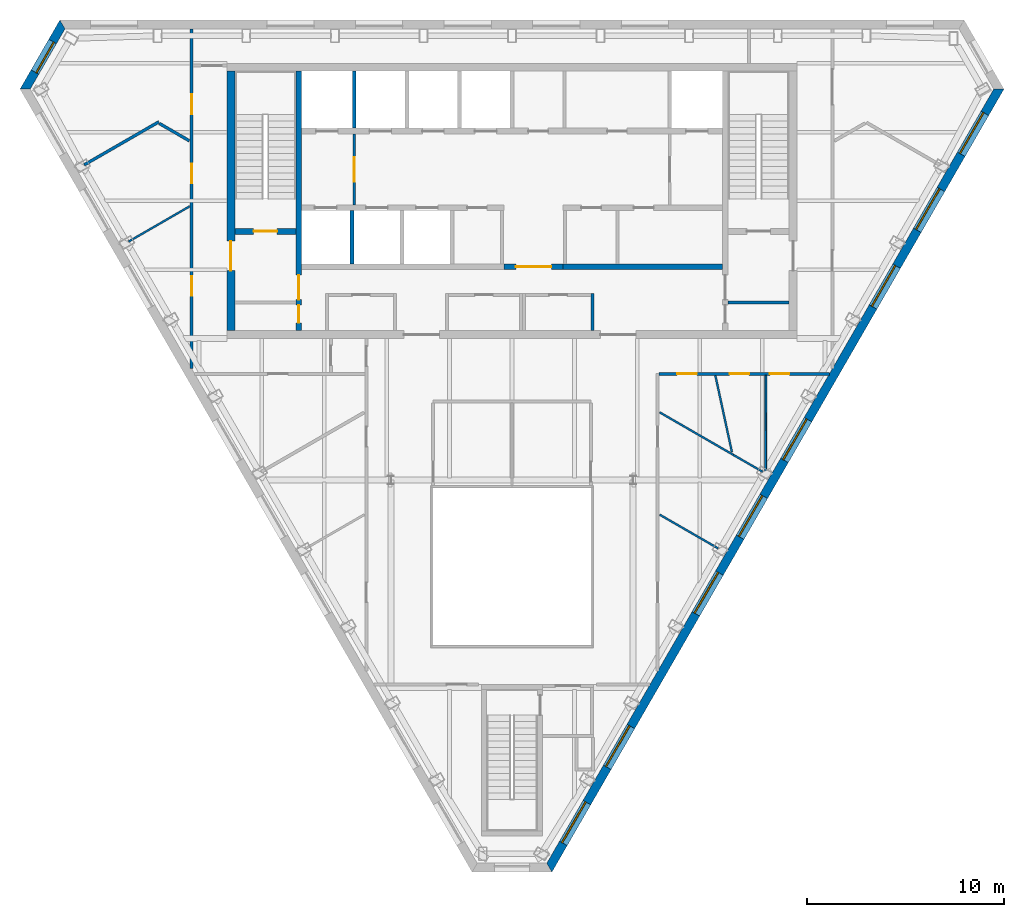
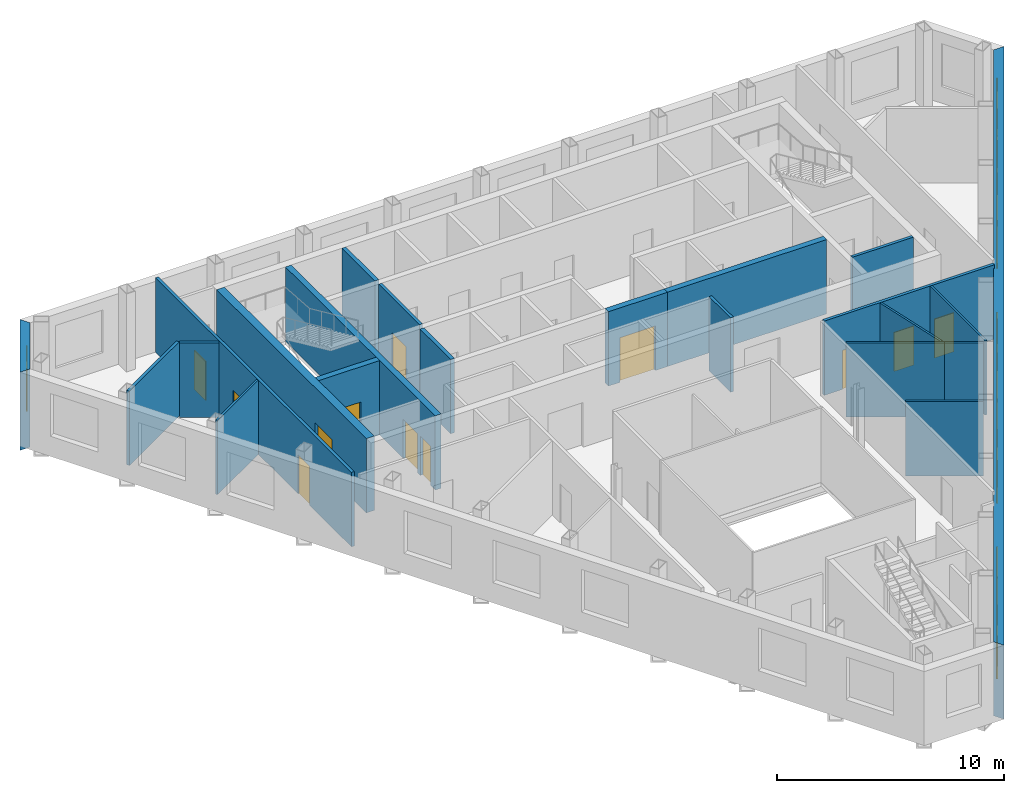
# One storey, part 5 of 10: 22 walls, 12 doors, 9 windows, 21 openings.
"""IFC4 building model written with IfcOpenShell, lengths in metres."""

from ifc_helpers import new_model, si_unit, direction, frame, frame_2d, origin, place, context, subcontext, project, spatial, polyline, rectangle, outline, extrude, material, layer, layer_set, type_object, element, fill, save


model = new_model("IFC4")

# Units and contexts
model_context = context("Model", 3, precision=1e-05, world=origin(), true_north=direction((0.0, 1.0)))
body_context = subcontext(model_context, "Body", "Model", "MODEL_VIEW")
ifc_project = project(units=[si_unit("LENGTHUNIT", "METRE"), si_unit("AREAUNIT", "SQUARE_METRE"), si_unit("VOLUMEUNIT", "CUBIC_METRE"), si_unit("PLANEANGLEUNIT", "RADIAN"), si_unit("MASSUNIT", "GRAM", prefix="KILO")], contexts=[model_context])

# Site, building, storey
site_placement = place(None, origin())
site = spatial("IfcSite", under=ifc_project, at=site_placement, CompositionType="ELEMENT")
building_placement = place(site_placement, origin())
building = spatial("IfcBuilding", under=site, at=building_placement, Name="Njiva Tower", CompositionType="ELEMENT")
storey_placement = place(building_placement, frame((0.0, 0.0, 329.4)))
storey = spatial("IfcBuildingStorey", under=building, at=storey_placement, Name="L75", CompositionType="ELEMENT", Elevation=329.4)

# Walls
ifc_material_1 = material(Name="Blockwork", Category="masonry")
ifc_layer_1 = layer(ifc_material_1, 0.15)
ifc_layer_set_1 = layer_set([ifc_layer_1], Name="Blockwork")
wall_type_1 = type_object("IfcWallType", Name="WT1 Compartment partition 150", PredefinedType="PARTITIONING", material=ifc_layer_set_1)
wall_1_placement = place(storey_placement, frame((11.0, 5.825, 0.0), z_axis=(0.0, 0.0, 1.0), x_axis=(1.0, 0.0, 0.0)))
element("IfcWall", 1, at=wall_1_placement, inside=storey, type_object=wall_type_1, Name="Room wall B", PredefinedType="PARTITIONING", context=body_context, shape_type="SweptSolid", body=[
    extrude(rectangle(XDim=3.1, YDim=0.15, at=frame_2d((1.55, 0.0))), origin(), (0.0, 0.0, 1.0), 4.0),
])
wall_2_placement = place(storey_placement, frame((4.1, 4.4, 0.0), z_axis=(0.0, 0.0, 1.0), x_axis=(0.0, 1.0, 0.0)))
element("IfcWall", 2, at=wall_2_placement, inside=storey, type_object=wall_type_1, Name="Information office wall east", PredefinedType="PARTITIONING", context=body_context, shape_type="SweptSolid", body=[
    extrude(rectangle(XDim=1.895, YDim=0.15, at=frame_2d((0.9475, 0.0))), origin(), (0.0, 0.0, 1.0), 4.0),
])

# Wall, openings, doors
ifc_material_2 = material(Name="Concrete C40/50", Category="concrete")
ifc_layer_2 = layer(ifc_material_2, 0.3)
ifc_layer_set_2 = layer_set([ifc_layer_2], Name="Concrete C40/50")
wall_type_2 = type_object("IfcWallType", Name="WT10 Stair enclosure wall 300", PredefinedType="SHEAR", material=ifc_layer_set_2)
wall_3_placement = place(storey_placement, frame((-10.85, 4.4, 0.0), z_axis=(0.0, 0.0, 1.0), x_axis=(0.0, 1.0, 0.0)))
wall_3 = element("IfcWall", 3, at=wall_3_placement, inside=storey, type_object=wall_type_2, Name="Stair wall west inner", PredefinedType="SHEAR", context=body_context, shape_type="SweptSolid", body=[
    extrude(rectangle(XDim=13.2, YDim=0.3, at=frame_2d((6.6, 0.0))), origin(), (0.0, 0.0, 1.0), 4.0),
])
opening_1_placement = place(wall_3_placement, frame((1.575, 0.0, 0.0)))
opening_1 = element("IfcOpeningElement", 4, at=opening_1_placement, cuts=wall_3, Name="Opening S26-D916", PredefinedType="OPENING", context=body_context, shape_type="SweptSolid", body=[
    extrude(rectangle(XDim=1.25, YDim=2.1, at=frame_2d((0.625, 1.05))), frame((0.0, 0.16, 0.0), z_axis=(0.0, -1.0, 0.0), x_axis=(1.0, 0.0, 0.0)), (0.0, 0.0, 1.0), 0.32),
])
opening_2_placement = place(wall_3_placement, frame((0.4, 0.0, 0.0)))
opening_2 = element("IfcOpeningElement", 5, at=opening_2_placement, cuts=wall_3, Name="Opening S26-D918", PredefinedType="OPENING", context=body_context, shape_type="SweptSolid", body=[
    extrude(rectangle(XDim=0.9, YDim=2.1, at=frame_2d((0.45, 1.05))), frame((0.0, 0.16, 0.0), z_axis=(0.0, -1.0, 0.0), x_axis=(1.0, 0.0, 0.0)), (0.0, 0.0, 1.0), 0.32),
])
ifc_material_3 = material(Name="Steel door, painted", Category="steel")
door_type_1 = type_object("IfcDoorType", Name="D13 Steel door 900x2100", OperationType="SINGLE_SWING_LEFT", PredefinedType="DOOR", material=ifc_material_3)
door_1_placement = place(opening_2_placement, origin())
door_1 = element("IfcDoor", 6, at=door_1_placement, inside=storey, type_object=door_type_1, Name="Reading room door", OperationType="SINGLE_SWING_RIGHT", OverallHeight=2.1, OverallWidth=0.9, PredefinedType="DOOR", context=body_context, shape_type="SweptSolid", body=[
    extrude(rectangle(XDim=0.9, YDim=2.1, at=frame_2d((0.45, 1.05))), frame((0.0, 0.025, 0.0), z_axis=(0.0, -1.0, 0.0), x_axis=(1.0, 0.0, 0.0)), (0.0, 0.0, 1.0), 0.05),
])
fill(opening_2, door_1)
ifc_material_4 = material(Name="Glazed steel fire door", Category="steel")
door_type_2 = type_object("IfcDoorType", Name="D8 Vestibule corridor door 1250x2100 glazed", OperationType="SINGLE_SWING_LEFT", PredefinedType="DOOR", material=ifc_material_4)
door_2_placement = place(opening_1_placement, origin())
door_2 = element("IfcDoor", 7, at=door_2_placement, inside=storey, type_object=door_type_2, Name="Stair vestibule corridor door", OperationType="SINGLE_SWING_LEFT", OverallHeight=2.1, OverallWidth=1.25, PredefinedType="DOOR", context=body_context, shape_type="SweptSolid", body=[
    extrude(rectangle(XDim=1.25, YDim=2.1, at=frame_2d((0.625, 1.05))), frame((0.0, 0.025, 0.0), z_axis=(0.0, -1.0, 0.0), x_axis=(1.0, 0.0, 0.0)), (0.0, 0.0, 1.0), 0.05),
])
fill(opening_1, door_2)

# Wall, opening, door
wall_4_placement = place(storey_placement, frame((-14.1, 9.45, 0.0), z_axis=(0.0, 0.0, 1.0), x_axis=(1.0, 0.0, 0.0)))
wall_4 = element("IfcWall", 8, at=wall_4_placement, inside=storey, type_object=wall_type_2, Name="Stair A south wall", PredefinedType="SHEAR", context=body_context, shape_type="SweptSolid", body=[
    extrude(rectangle(XDim=3.1, YDim=0.3, at=frame_2d((1.55, 0.0))), origin(), (0.0, 0.0, 1.0), 4.0),
])
opening_3_placement = place(wall_4_placement, frame((0.95, 0.0, 0.0)))
opening_3 = element("IfcOpeningElement", 9, at=opening_3_placement, cuts=wall_4, Name="Opening S26-D915", PredefinedType="OPENING", context=body_context, shape_type="SweptSolid", body=[
    extrude(rectangle(XDim=1.2, YDim=2.1, at=frame_2d((0.6, 1.05))), frame((0.0, 0.16, 0.0), z_axis=(0.0, -1.0, 0.0), x_axis=(1.0, 0.0, 0.0)), (0.0, 0.0, 1.0), 0.32),
])
door_type_3 = type_object("IfcDoorType", Name="D7 Stair vestibule door 1200x2100 glazed", OperationType="SINGLE_SWING_LEFT", PredefinedType="DOOR", material=ifc_material_4)
door_3_placement = place(opening_3_placement, origin())
door_3 = element("IfcDoor", 10, at=door_3_placement, inside=storey, type_object=door_type_3, Name="Stair A door", OperationType="SINGLE_SWING_LEFT", OverallHeight=2.1, OverallWidth=1.2, PredefinedType="DOOR", context=body_context, shape_type="SweptSolid", body=[
    extrude(rectangle(XDim=1.2, YDim=2.1, at=frame_2d((0.6, 1.05))), frame((0.0, 0.025, 0.0), z_axis=(0.0, -1.0, 0.0), x_axis=(1.0, 0.0, 0.0)), (0.0, 0.0, 1.0), 0.05),
])
fill(opening_3, door_3)

ifc_material_5 = material(Name="Concrete C60/75", Category="concrete")
ifc_layer_3 = layer(ifc_material_5, 0.4)
ifc_layer_set_3 = layer_set([ifc_layer_3], Name="Concrete C60/75")
wall_type_3 = type_object("IfcWallType", Name="WT11 Core wall 400", PredefinedType="SHEAR", material=ifc_layer_set_3)
wall_5_placement = place(storey_placement, frame((-14.3, 4.4, 0.0), z_axis=(0.0, 0.0, 1.0), x_axis=(0.0, 1.0, 0.0)))
wall_5 = element("IfcWall", 11, at=wall_5_placement, inside=storey, type_object=wall_type_3, Name="Core wall west", PredefinedType="SHEAR", context=body_context, shape_type="SweptSolid", body=[
    extrude(rectangle(XDim=13.2, YDim=0.4, at=frame_2d((6.6, 0.0))), origin(), (0.0, 0.0, 1.0), 4.0),
])
opening_4_placement = place(wall_5_placement, frame((3.05, 0.0, 0.0)))
opening_4 = element("IfcOpeningElement", 12, at=opening_4_placement, cuts=wall_5, Name="Opening S26-D917", PredefinedType="OPENING", context=body_context, shape_type="SweptSolid", body=[
    extrude(rectangle(XDim=1.5, YDim=2.1, at=frame_2d((0.75, 1.05))), frame((0.0, 0.21, 0.0), z_axis=(0.0, -1.0, 0.0), x_axis=(1.0, 0.0, 0.0)), (0.0, 0.0, 1.0), 0.42),
])
door_type_4 = type_object("IfcDoorType", Name="D10 Exit door double 1500x2100 glazed", OperationType="DOUBLE_DOOR_SINGLE_SWING", PredefinedType="DOOR", material=ifc_material_4)
door_4_placement = place(opening_4_placement, origin())
door_4 = element("IfcDoor", 13, at=door_4_placement, inside=storey, type_object=door_type_4, Name="Stair A corridor door", OperationType="DOUBLE_DOOR_SINGLE_SWING", OverallHeight=2.1, OverallWidth=1.5, PredefinedType="DOOR", context=body_context, shape_type="SweptSolid", body=[
    extrude(rectangle(XDim=1.5, YDim=2.1, at=frame_2d((0.75, 1.05))), frame((0.0, 0.025, 0.0), z_axis=(0.0, -1.0, 0.0), x_axis=(1.0, 0.0, 0.0)), (0.0, 0.0, 1.0), 0.05),
])
fill(opening_4, door_4)

ifc_layer_4 = layer(ifc_material_1, 0.15)
ifc_layer_set_4 = layer_set([ifc_layer_4], Name="Blockwork")
wall_type_4 = type_object("IfcWallType", Name="WT2 Lobby partition 150", PredefinedType="PARTITIONING", material=ifc_layer_set_4)
wall_6_placement = place(storey_placement, frame((-8.025, 10.8, 0.0), z_axis=(0.0, 0.0, 1.0), x_axis=(0.0, 1.0, 0.0)))
wall_6 = element("IfcWall", 14, at=wall_6_placement, inside=storey, type_object=wall_type_4, Name="Firefighting lobby wall A", PredefinedType="PARTITIONING", context=body_context, shape_type="SweptSolid", body=[
    extrude(rectangle(XDim=3.6, YDim=0.15, at=frame_2d((1.8, 0.0))), origin(), (0.0, 0.0, 1.0), 4.0),
])
opening_5_placement = place(wall_6_placement, frame((1.175, 0.0, 0.0)))
opening_5 = element("IfcOpeningElement", 15, at=opening_5_placement, cuts=wall_6, Name="Opening S26-D914", PredefinedType="OPENING", context=body_context, shape_type="SweptSolid", body=[
    extrude(rectangle(XDim=1.25, YDim=2.1, at=frame_2d((0.625, 1.05))), frame((0.0, 0.085, 0.0), z_axis=(0.0, -1.0, 0.0), x_axis=(1.0, 0.0, 0.0)), (0.0, 0.0, 1.0), 0.17),
])
door_5_placement = place(opening_5_placement, origin())
door_5 = element("IfcDoor", 16, at=door_5_placement, inside=storey, type_object=door_type_2, Name="Stair vestibule corridor door", OperationType="SINGLE_SWING_RIGHT", OverallHeight=2.1, OverallWidth=1.25, PredefinedType="DOOR", context=body_context, shape_type="SweptSolid", body=[
    extrude(rectangle(XDim=1.25, YDim=2.1, at=frame_2d((0.625, 1.05))), frame((0.0, 0.025, 0.0), z_axis=(0.0, -1.0, 0.0), x_axis=(1.0, 0.0, 0.0)), (0.0, 0.0, 1.0), 0.05),
])
fill(opening_5, door_5)

# Walls
ifc_material_6 = material(Name="Gypsum board on steel studs", Category="gypsum")
ifc_layer_5 = layer(ifc_material_6, 0.1)
ifc_layer_set_5 = layer_set([ifc_layer_5], Name="Gypsum board on steel studs")
wall_type_5 = type_object("IfcWallType", Name="WT20 Gypsum partition 100", PredefinedType="PARTITIONING", material=ifc_layer_set_5)
wall_7_placement = place(storey_placement, frame((-19.508, 8.928, 0.0), z_axis=(0.0, 0.0, 1.0), x_axis=(0.866074224396, 0.499915430684, 0.0)))
element("IfcWall", 17, at=wall_7_placement, inside=storey, type_object=wall_type_5, Name="Partition S26-P002", PredefinedType="PARTITIONING", context=body_context, shape_type="SweptSolid", body=[
    extrude(rectangle(XDim=3.5886, YDim=0.1, at=frame_2d((1.7943, 0.0))), origin(), (0.0, 0.0, 1.0), 4.0),
])
wall_8_placement = place(storey_placement, frame((7.51, -4.96, 0.0), z_axis=(0.0, 0.0, 1.0), x_axis=(0.866074466908, -0.499915010547, 0.0)))
element("IfcWall", 18, at=wall_8_placement, inside=storey, type_object=wall_type_5, Name="Partition S26-P019", PredefinedType="PARTITIONING", context=body_context, shape_type="SweptSolid", body=[
    extrude(rectangle(XDim=3.4466, YDim=0.1, at=frame_2d((1.7233, 0.0))), origin(), (0.0, 0.0, 1.0), 4.0),
])
wall_9_placement = place(storey_placement, frame((7.51, 0.245, 0.0), z_axis=(0.0, 0.0, 1.0), x_axis=(0.865900672614, -0.50021597852, 0.0)))
element("IfcWall", 19, at=wall_9_placement, inside=storey, type_object=wall_type_5, Name="Partition S26-P020", PredefinedType="PARTITIONING", context=body_context, shape_type="SweptSolid", body=[
    extrude(rectangle(XDim=4.3261, YDim=0.1, at=frame_2d((2.163, 0.0))), origin(), (0.0, 0.0, 1.0), 4.0),
])
wall_10_placement = place(storey_placement, frame((10.346, 2.114, 0.0), z_axis=(0.0, 0.0, 1.0), x_axis=(0.211378111895, -0.977404365558, 0.0)))
element("IfcWall", 20, at=wall_10_placement, inside=storey, type_object=wall_type_5, Name="Partition S26-P021", PredefinedType="PARTITIONING", context=body_context, shape_type="SweptSolid", body=[
    extrude(rectangle(XDim=3.9881, YDim=0.1, at=frame_2d((1.994, 0.0))), origin(), (0.0, 0.0, 1.0), 4.0),
])
wall_11_placement = place(storey_placement, frame((11.256, -1.919, 0.0), z_axis=(0.0, 0.0, 1.0), x_axis=(0.866523573279, -0.499136150717, 0.0)))
element("IfcWall", 21, at=wall_11_placement, inside=storey, type_object=wall_type_5, Name="Partition S26-P022", PredefinedType="PARTITIONING", context=body_context, shape_type="SweptSolid", body=[
    extrude(rectangle(XDim=1.723, YDim=0.1, at=frame_2d((0.8615, 0.0))), origin(), (0.0, 0.0, 1.0), 4.0),
])
wall_12_placement = place(storey_placement, frame((12.904, -2.73, 0.0), z_axis=(0.0, 0.0, 1.0), x_axis=(0.001853755826, 0.999998281793, 0.0)))
element("IfcWall", 22, at=wall_12_placement, inside=storey, type_object=wall_type_5, Name="Partition S26-P024", PredefinedType="PARTITIONING", context=body_context, shape_type="SweptSolid", body=[
    extrude(rectangle(XDim=4.855, YDim=0.1, at=frame_2d((2.4275, 0.0))), origin(), (0.0, 0.0, 1.0), 4.0),
])
ifc_layer_6 = layer(ifc_material_6, 0.15)
ifc_layer_set_6 = layer_set([ifc_layer_6], Name="Gypsum board on steel studs")
wall_type_6 = type_object("IfcWallType", Name="WT21 Compartment wall 150", PredefinedType="PARTITIONING", material=ifc_layer_set_6)
wall_13_placement = place(storey_placement, frame((-21.762, 12.832, 0.0), z_axis=(0.0, 0.0, 1.0), x_axis=(0.866272840059, 0.499571182691, 0.0)))
element("IfcWall", 23, at=wall_13_placement, inside=storey, type_object=wall_type_6, Name="Partition S26-P001", PredefinedType="PARTITIONING", context=body_context, shape_type="SweptSolid", body=[
    extrude(rectangle(XDim=4.3878, YDim=0.15, at=frame_2d((2.1939, 0.0))), origin(), (0.0, 0.0, 1.0), 4.0),
])
wall_14_placement = place(storey_placement, frame((-17.937, 14.936, 0.0), z_axis=(0.0, 0.0, 1.0), x_axis=(0.866138304741, -0.499804398801, 0.0)))
element("IfcWall", 24, at=wall_14_placement, inside=storey, type_object=wall_type_6, Name="Partition S26-P003", PredefinedType="PARTITIONING", context=body_context, shape_type="SweptSolid", body=[
    extrude(rectangle(XDim=1.7607, YDim=0.15, at=frame_2d((0.8804, 0.0))), origin(), (0.0, 0.0, 1.0), 4.0),
])

# Wall, openings, doors
wall_15_placement = place(storey_placement, frame((-16.3, 2.472, 0.0), z_axis=(0.0, 0.0, 1.0), x_axis=(0.0, 1.0, 0.0)))
wall_15 = element("IfcWall", 25, at=wall_15_placement, inside=storey, type_object=wall_type_6, Name="Partition S26-P004", PredefinedType="PARTITIONING", context=body_context, shape_type="SweptSolid", body=[
    extrude(rectangle(XDim=17.276, YDim=0.15, at=frame_2d((8.638, 0.0))), origin(), (0.0, 0.0, 1.0), 4.0),
])
opening_6_placement = place(wall_15_placement, frame((3.704, 0.0, 0.0)))
opening_6 = element("IfcOpeningElement", 26, at=opening_6_placement, cuts=wall_15, Name="Opening S26-D001", PredefinedType="OPENING", context=body_context, shape_type="SweptSolid", body=[
    extrude(rectangle(XDim=1.0, YDim=2.1, at=frame_2d((0.5, 1.05))), frame((0.0, 0.085, 0.0), z_axis=(0.0, -1.0, 0.0), x_axis=(1.0, 0.0, 0.0)), (0.0, 0.0, 1.0), 0.17),
])
opening_7_placement = place(wall_15_placement, frame((9.413, 0.0, 0.0)))
opening_7 = element("IfcOpeningElement", 27, at=opening_7_placement, cuts=wall_15, Name="Opening S26-D002", PredefinedType="OPENING", context=body_context, shape_type="SweptSolid", body=[
    extrude(rectangle(XDim=1.0, YDim=2.1, at=frame_2d((0.5, 1.05))), frame((0.0, 0.085, 0.0), z_axis=(0.0, -1.0, 0.0), x_axis=(1.0, 0.0, 0.0)), (0.0, 0.0, 1.0), 0.17),
])
opening_8_placement = place(wall_15_placement, frame((12.944, 0.0, 0.0)))
opening_8 = element("IfcOpeningElement", 28, at=opening_8_placement, cuts=wall_15, Name="Opening S26-D003", PredefinedType="OPENING", context=body_context, shape_type="SweptSolid", body=[
    extrude(rectangle(XDim=1.0, YDim=2.1, at=frame_2d((0.5, 1.05))), frame((0.0, 0.085, 0.0), z_axis=(0.0, -1.0, 0.0), x_axis=(1.0, 0.0, 0.0)), (0.0, 0.0, 1.0), 0.17),
])
ifc_material_7 = material(Name="Steel fire door set", Category="steel")
door_type_5 = type_object("IfcDoorType", Name="D37 Fire door 1000x2100", OperationType="SINGLE_SWING_LEFT", PredefinedType="DOOR", material=ifc_material_7)
door_6_placement = place(opening_6_placement, origin())
door_6 = element("IfcDoor", 29, at=door_6_placement, inside=storey, type_object=door_type_5, Name="Door S26-D001", OperationType="SINGLE_SWING_RIGHT", OverallHeight=2.1, OverallWidth=1.0, PredefinedType="DOOR", context=body_context, shape_type="SweptSolid", body=[
    extrude(rectangle(XDim=1.0, YDim=2.1, at=frame_2d((0.5, 1.05))), frame((0.0, 0.025, 0.0), z_axis=(0.0, -1.0, 0.0), x_axis=(1.0, 0.0, 0.0)), (0.0, 0.0, 1.0), 0.05),
])
fill(opening_6, door_6)
door_7_placement = place(opening_7_placement, origin())
door_7 = element("IfcDoor", 30, at=door_7_placement, inside=storey, type_object=door_type_5, Name="Door S26-D002", OperationType="SINGLE_SWING_LEFT", OverallHeight=2.1, OverallWidth=1.0, PredefinedType="DOOR", context=body_context, shape_type="SweptSolid", body=[
    extrude(rectangle(XDim=1.0, YDim=2.1, at=frame_2d((0.5, 1.05))), frame((0.0, 0.025, 0.0), z_axis=(0.0, -1.0, 0.0), x_axis=(1.0, 0.0, 0.0)), (0.0, 0.0, 1.0), 0.05),
])
fill(opening_7, door_7)
door_8_placement = place(opening_8_placement, origin())
door_8 = element("IfcDoor", 31, at=door_8_placement, inside=storey, type_object=door_type_5, Name="Door S26-D003", OperationType="SINGLE_SWING_LEFT", OverallHeight=2.1, OverallWidth=1.0, PredefinedType="DOOR", context=body_context, shape_type="SweptSolid", body=[
    extrude(rectangle(XDim=1.0, YDim=2.1, at=frame_2d((0.5, 1.05))), frame((0.0, 0.025, 0.0), z_axis=(0.0, -1.0, 0.0), x_axis=(1.0, 0.0, 0.0)), (0.0, 0.0, 1.0), 0.05),
])
fill(opening_8, door_8)

wall_16_placement = place(storey_placement, frame((7.485, 2.2, 0.0), z_axis=(0.0, 0.0, 1.0), x_axis=(1.0, 0.0, 0.0)))
wall_16 = element("IfcWall", 32, at=wall_16_placement, inside=storey, type_object=wall_type_6, Name="Partition S26-P018", PredefinedType="PARTITIONING", context=body_context, shape_type="SweptSolid", body=[
    extrude(rectangle(XDim=8.658, YDim=0.15, at=frame_2d((4.329, 0.0))), origin(), (0.0, 0.0, 1.0), 4.0),
])
opening_9_placement = place(wall_16_placement, frame((0.921, 0.0, 0.0)))
opening_9 = element("IfcOpeningElement", 33, at=opening_9_placement, cuts=wall_16, Name="Opening S26-D015", PredefinedType="OPENING", context=body_context, shape_type="SweptSolid", body=[
    extrude(rectangle(XDim=1.0, YDim=2.1, at=frame_2d((0.5, 1.05))), frame((0.0, 0.085, 0.0), z_axis=(0.0, -1.0, 0.0), x_axis=(1.0, 0.0, 0.0)), (0.0, 0.0, 1.0), 0.17),
])
opening_10_placement = place(wall_16_placement, frame((3.581, 0.0, 0.0)))
opening_10 = element("IfcOpeningElement", 34, at=opening_10_placement, cuts=wall_16, Name="Opening S26-D016", PredefinedType="OPENING", context=body_context, shape_type="SweptSolid", body=[
    extrude(rectangle(XDim=1.0, YDim=2.1, at=frame_2d((0.5, 1.05))), frame((0.0, 0.085, 0.0), z_axis=(0.0, -1.0, 0.0), x_axis=(1.0, 0.0, 0.0)), (0.0, 0.0, 1.0), 0.17),
])
opening_11_placement = place(wall_16_placement, frame((5.628, 0.0, 0.0)))
opening_11 = element("IfcOpeningElement", 35, at=opening_11_placement, cuts=wall_16, Name="Opening S26-D017", PredefinedType="OPENING", context=body_context, shape_type="SweptSolid", body=[
    extrude(rectangle(XDim=1.0, YDim=2.1, at=frame_2d((0.5, 1.05))), frame((0.0, 0.085, 0.0), z_axis=(0.0, -1.0, 0.0), x_axis=(1.0, 0.0, 0.0)), (0.0, 0.0, 1.0), 0.17),
])
door_9_placement = place(opening_9_placement, origin())
door_9 = element("IfcDoor", 36, at=door_9_placement, inside=storey, type_object=door_type_5, Name="Door S26-D015", OperationType="SINGLE_SWING_LEFT", OverallHeight=2.1, OverallWidth=1.0, PredefinedType="DOOR", context=body_context, shape_type="SweptSolid", body=[
    extrude(rectangle(XDim=1.0, YDim=2.1, at=frame_2d((0.5, 1.05))), frame((0.0, 0.025, 0.0), z_axis=(0.0, -1.0, 0.0), x_axis=(1.0, 0.0, 0.0)), (0.0, 0.0, 1.0), 0.05),
])
fill(opening_9, door_9)
door_10_placement = place(opening_10_placement, origin())
door_10 = element("IfcDoor", 37, at=door_10_placement, inside=storey, type_object=door_type_5, Name="Door S26-D016", OperationType="SINGLE_SWING_LEFT", OverallHeight=2.1, OverallWidth=1.0, PredefinedType="DOOR", context=body_context, shape_type="SweptSolid", body=[
    extrude(rectangle(XDim=1.0, YDim=2.1, at=frame_2d((0.5, 1.05))), frame((0.0, 0.025, 0.0), z_axis=(0.0, -1.0, 0.0), x_axis=(1.0, 0.0, 0.0)), (0.0, 0.0, 1.0), 0.05),
])
fill(opening_10, door_10)
door_11_placement = place(opening_11_placement, origin())
door_11 = element("IfcDoor", 38, at=door_11_placement, inside=storey, type_object=door_type_5, Name="Door S26-D017", OperationType="SINGLE_SWING_RIGHT", OverallHeight=2.1, OverallWidth=1.0, PredefinedType="DOOR", context=body_context, shape_type="SweptSolid", body=[
    extrude(rectangle(XDim=1.0, YDim=2.1, at=frame_2d((0.5, 1.05))), frame((0.0, 0.025, 0.0), z_axis=(0.0, -1.0, 0.0), x_axis=(1.0, 0.0, 0.0)), (0.0, 0.0, 1.0), 0.05),
])
fill(opening_11, door_11)

# Wall, opening, door
ifc_layer_7 = layer(ifc_material_1, 0.3)
ifc_layer_set_7 = layer_set([ifc_layer_7], Name="Blockwork")
wall_type_7 = type_object("IfcWallType", Name="WT5 Lobby partition 300", PredefinedType="PARTITIONING", material=ifc_layer_set_7)
wall_17_placement = place(storey_placement, frame((-0.4, 7.65, 0.0), z_axis=(0.0, 0.0, 1.0), x_axis=(1.0, 0.0, 0.0)))
wall_17 = element("IfcWall", 39, at=wall_17_placement, inside=storey, type_object=wall_type_7, Name="Lift lobby screen wall", PredefinedType="PARTITIONING", context=body_context, shape_type="SweptSolid", body=[
    extrude(rectangle(XDim=3.0, YDim=0.3, at=frame_2d((1.5, 0.0))), origin(), (0.0, 0.0, 1.0), 4.0),
])
opening_12_placement = place(wall_17_placement, frame((0.6, 0.0, 0.0)))
opening_12 = element("IfcOpeningElement", 40, at=opening_12_placement, cuts=wall_17, Name="Opening S26-D927", PredefinedType="OPENING", context=body_context, shape_type="SweptSolid", body=[
    extrude(rectangle(XDim=1.8, YDim=2.4, at=frame_2d((0.9, 1.2))), frame((0.0, 0.16, 0.0), z_axis=(0.0, -1.0, 0.0), x_axis=(1.0, 0.0, 0.0)), (0.0, 0.0, 1.0), 0.32),
])
ifc_material_8 = material(Name="Steel and glass door", Category="steel")
door_type_6 = type_object("IfcDoorType", Name="D3 Core entrance door 1800x2400", OperationType="DOUBLE_DOOR_SINGLE_SWING", PredefinedType="DOOR", material=ifc_material_8)
door_12_placement = place(opening_12_placement, origin())
door_12 = element("IfcDoor", 41, at=door_12_placement, inside=storey, type_object=door_type_6, Name="Core entrance door", OperationType="DOUBLE_DOOR_SINGLE_SWING", OverallHeight=2.4, OverallWidth=1.8, PredefinedType="DOOR", context=body_context, shape_type="SweptSolid", body=[
    extrude(rectangle(XDim=1.8, YDim=2.4, at=frame_2d((0.9, 1.2))), frame((0.0, 0.025, 0.0), z_axis=(0.0, -1.0, 0.0), x_axis=(1.0, 0.0, 0.0)), (0.0, 0.0, 1.0), 0.05),
])
fill(opening_12, door_12)

# Walls
ifc_layer_8 = layer(ifc_material_2, 0.2)
ifc_layer_set_8 = layer_set([ifc_layer_8], Name="Concrete C40/50")
wall_type_8 = type_object("IfcWallType", Name="WT6 Lift shaft wall 200", PredefinedType="SHEAR", material=ifc_layer_set_8)
wall_18_placement = place(storey_placement, frame((-8.025, 14.7, 0.0), z_axis=(0.0, 0.0, 1.0), x_axis=(0.0, 1.0, 0.0)))
element("IfcWall", 42, at=wall_18_placement, inside=storey, type_object=wall_type_8, Name="Shaft wall CN1", PredefinedType="SHEAR", context=body_context, shape_type="SweptSolid", body=[
    extrude(rectangle(XDim=2.9, YDim=0.2, at=frame_2d((1.45, 0.0))), origin(), (0.0, 0.0, 1.0), 4.0),
])
wall_19_placement = place(storey_placement, frame((-8.15, 7.8, 0.0), z_axis=(0.0, 0.0, 1.0), x_axis=(0.0, 1.0, 0.0)))
element("IfcWall", 43, at=wall_19_placement, inside=storey, type_object=wall_type_8, Name="Shaft wall CS1", PredefinedType="SHEAR", context=body_context, shape_type="SweptSolid", body=[
    extrude(rectangle(XDim=2.7, YDim=0.2, at=frame_2d((1.35, 0.0))), origin(), (0.0, 0.0, 1.0), 4.0),
])
ifc_layer_9 = layer(ifc_material_2, 0.3)
ifc_layer_set_9 = layer_set([ifc_layer_9], Name="Concrete C40/50")
wall_type_9 = type_object("IfcWallType", Name="WT7 Lift shaft wall 300", PredefinedType="SHEAR", material=ifc_layer_set_9)
wall_20_placement = place(storey_placement, frame((2.6, 7.65, 0.0), z_axis=(0.0, 0.0, 1.0), x_axis=(1.0, 0.0, 0.0)))
element("IfcWall", 44, at=wall_20_placement, inside=storey, type_object=wall_type_9, Name="Shaft wall south row back E", PredefinedType="SHEAR", context=body_context, shape_type="SweptSolid", body=[
    extrude(rectangle(XDim=8.1, YDim=0.3, at=frame_2d((4.05, 0.0))), origin(), (0.0, 0.0, 1.0), 4.0),
])

# Wall, openings, windows
ifc_material_9 = material(Name="Brick masonry", Category="masonry")
ifc_layer_10 = layer(ifc_material_9, 0.45)
ifc_layer_set_10 = layer_set([ifc_layer_10], Name="Brick masonry")
wall_type_10 = type_object("IfcWallType", Name="WT90 Brick pier and spandrel wall 450", PredefinedType="SOLIDWALL", material=ifc_layer_set_10)
wall_21_placement = place(storey_placement, frame((1.9001, -22.9196, -0.18), z_axis=(0.0, 0.0, 1.0), x_axis=(0.500000141277, 0.866025322218, 0.0)))
wall_21 = element("IfcWall", 45, at=wall_21_placement, inside=storey, type_object=wall_type_10, Name="Facade wall SE", PredefinedType="SOLIDWALL", context=body_context, shape_type="SweptSolid", body=[
    extrude(outline(polyline([(-0.1299, -0.225), (45.8601, -0.225), (45.6003, 0.225), (0.1299, 0.225), (-0.1299, -0.225)])), origin(), (0.0, 0.0, 1.0), 3.98),
])
opening_13_placement = place(wall_21_placement, frame((1.4237, 0.0, 1.08)))
opening_13 = element("IfcOpeningElement", 46, at=opening_13_placement, cuts=wall_21, Name="Opening S26-W18", PredefinedType="OPENING", context=body_context, shape_type="SweptSolid", body=[
    extrude(rectangle(XDim=2.4, YDim=2.3, at=frame_2d((1.2, 1.15))), frame((0.0, 0.235, 0.0), z_axis=(0.0, -1.0, 0.0), x_axis=(1.0, 0.0, 0.0)), (0.0, 0.0, 1.0), 0.47),
])
opening_14_placement = place(wall_21_placement, frame((5.8919, 0.0, 1.08)))
opening_14 = element("IfcOpeningElement", 47, at=opening_14_placement, cuts=wall_21, Name="Opening S26-W19", PredefinedType="OPENING", context=body_context, shape_type="SweptSolid", body=[
    extrude(rectangle(XDim=2.4, YDim=2.3, at=frame_2d((1.2, 1.15))), frame((0.0, 0.235, 0.0), z_axis=(0.0, -1.0, 0.0), x_axis=(1.0, 0.0, 0.0)), (0.0, 0.0, 1.0), 0.47),
])
opening_15_placement = place(wall_21_placement, frame((14.9052, 0.0, 1.08)))
opening_15 = element("IfcOpeningElement", 48, at=opening_15_placement, cuts=wall_21, Name="Opening S26-W20", PredefinedType="OPENING", context=body_context, shape_type="SweptSolid", body=[
    extrude(rectangle(XDim=2.4, YDim=2.3, at=frame_2d((1.2, 1.15))), frame((0.0, 0.235, 0.0), z_axis=(0.0, -1.0, 0.0), x_axis=(1.0, 0.0, 0.0)), (0.0, 0.0, 1.0), 0.47),
])
opening_16_placement = place(wall_21_placement, frame((19.4118, 0.0, 1.08)))
opening_16 = element("IfcOpeningElement", 49, at=opening_16_placement, cuts=wall_21, Name="Opening S26-W21", PredefinedType="OPENING", context=body_context, shape_type="SweptSolid", body=[
    extrude(rectangle(XDim=2.4, YDim=2.3, at=frame_2d((1.2, 1.15))), frame((0.0, 0.235, 0.0), z_axis=(0.0, -1.0, 0.0), x_axis=(1.0, 0.0, 0.0)), (0.0, 0.0, 1.0), 0.47),
])
opening_17_placement = place(wall_21_placement, frame((23.9184, 0.0, 1.08)))
opening_17 = element("IfcOpeningElement", 50, at=opening_17_placement, cuts=wall_21, Name="Opening S26-W22", PredefinedType="OPENING", context=body_context, shape_type="SweptSolid", body=[
    extrude(rectangle(XDim=2.4, YDim=2.3, at=frame_2d((1.2, 1.15))), frame((0.0, 0.235, 0.0), z_axis=(0.0, -1.0, 0.0), x_axis=(1.0, 0.0, 0.0)), (0.0, 0.0, 1.0), 0.47),
])
opening_18_placement = place(wall_21_placement, frame((32.9316, 0.0, 1.08)))
opening_18 = element("IfcOpeningElement", 51, at=opening_18_placement, cuts=wall_21, Name="Opening S26-W23", PredefinedType="OPENING", context=body_context, shape_type="SweptSolid", body=[
    extrude(rectangle(XDim=2.4, YDim=2.3, at=frame_2d((1.2, 1.15))), frame((0.0, 0.235, 0.0), z_axis=(0.0, -1.0, 0.0), x_axis=(1.0, 0.0, 0.0)), (0.0, 0.0, 1.0), 0.47),
])
opening_19_placement = place(wall_21_placement, frame((37.4383, 0.0, 1.08)))
opening_19 = element("IfcOpeningElement", 52, at=opening_19_placement, cuts=wall_21, Name="Opening S26-W24", PredefinedType="OPENING", context=body_context, shape_type="SweptSolid", body=[
    extrude(rectangle(XDim=2.4, YDim=2.3, at=frame_2d((1.2, 1.15))), frame((0.0, 0.235, 0.0), z_axis=(0.0, -1.0, 0.0), x_axis=(1.0, 0.0, 0.0)), (0.0, 0.0, 1.0), 0.47),
])
opening_20_placement = place(wall_21_placement, frame((41.9065, 0.0, 1.08)))
opening_20 = element("IfcOpeningElement", 53, at=opening_20_placement, cuts=wall_21, Name="Opening S26-W25", PredefinedType="OPENING", context=body_context, shape_type="SweptSolid", body=[
    extrude(rectangle(XDim=2.4, YDim=2.3, at=frame_2d((1.2, 1.15))), frame((0.0, 0.235, 0.0), z_axis=(0.0, -1.0, 0.0), x_axis=(1.0, 0.0, 0.0)), (0.0, 0.0, 1.0), 0.47),
])
ifc_material_10 = material(Name="Clear glazing in aluminium frame", Category="aluminium")
window_type_1 = type_object("IfcWindowType", Name="W91 Deep-set window 2400x2300", PartitioningType="SINGLE_PANEL", PredefinedType="WINDOW", material=ifc_material_10)
window_1_placement = place(opening_13_placement, origin())
window_1 = element("IfcWindow", 54, at=window_1_placement, inside=storey, type_object=window_type_1, Name="Window", OverallHeight=2.3, OverallWidth=2.4, PartitioningType="SINGLE_PANEL", PredefinedType="WINDOW", context=body_context, shape_type="SweptSolid", body=[
    extrude(rectangle(XDim=2.4, YDim=2.3, at=frame_2d((1.2, 1.15))), frame((0.0, 0.105, 0.0), z_axis=(0.0, -1.0, 0.0), x_axis=(1.0, 0.0, 0.0)), (0.0, 0.0, 1.0), 0.06),
])
fill(opening_13, window_1)
window_2_placement = place(opening_14_placement, origin())
window_2 = element("IfcWindow", 55, at=window_2_placement, inside=storey, type_object=window_type_1, Name="Window", OverallHeight=2.3, OverallWidth=2.4, PartitioningType="SINGLE_PANEL", PredefinedType="WINDOW", context=body_context, shape_type="SweptSolid", body=[
    extrude(rectangle(XDim=2.4, YDim=2.3, at=frame_2d((1.2, 1.15))), frame((0.0, 0.105, 0.0), z_axis=(0.0, -1.0, 0.0), x_axis=(1.0, 0.0, 0.0)), (0.0, 0.0, 1.0), 0.06),
])
fill(opening_14, window_2)
window_3_placement = place(opening_15_placement, origin())
window_3 = element("IfcWindow", 56, at=window_3_placement, inside=storey, type_object=window_type_1, Name="Window", OverallHeight=2.3, OverallWidth=2.4, PartitioningType="SINGLE_PANEL", PredefinedType="WINDOW", context=body_context, shape_type="SweptSolid", body=[
    extrude(rectangle(XDim=2.4, YDim=2.3, at=frame_2d((1.2, 1.15))), frame((0.0, 0.105, 0.0), z_axis=(0.0, -1.0, 0.0), x_axis=(1.0, 0.0, 0.0)), (0.0, 0.0, 1.0), 0.06),
])
fill(opening_15, window_3)
window_4_placement = place(opening_16_placement, origin())
window_4 = element("IfcWindow", 57, at=window_4_placement, inside=storey, type_object=window_type_1, Name="Window", OverallHeight=2.3, OverallWidth=2.4, PartitioningType="SINGLE_PANEL", PredefinedType="WINDOW", context=body_context, shape_type="SweptSolid", body=[
    extrude(rectangle(XDim=2.4, YDim=2.3, at=frame_2d((1.2, 1.15))), frame((0.0, 0.105, 0.0), z_axis=(0.0, -1.0, 0.0), x_axis=(1.0, 0.0, 0.0)), (0.0, 0.0, 1.0), 0.06),
])
fill(opening_16, window_4)
window_5_placement = place(opening_17_placement, origin())
window_5 = element("IfcWindow", 58, at=window_5_placement, inside=storey, type_object=window_type_1, Name="Window", OverallHeight=2.3, OverallWidth=2.4, PartitioningType="SINGLE_PANEL", PredefinedType="WINDOW", context=body_context, shape_type="SweptSolid", body=[
    extrude(rectangle(XDim=2.4, YDim=2.3, at=frame_2d((1.2, 1.15))), frame((0.0, 0.105, 0.0), z_axis=(0.0, -1.0, 0.0), x_axis=(1.0, 0.0, 0.0)), (0.0, 0.0, 1.0), 0.06),
])
fill(opening_17, window_5)
window_6_placement = place(opening_18_placement, origin())
window_6 = element("IfcWindow", 59, at=window_6_placement, inside=storey, type_object=window_type_1, Name="Window", OverallHeight=2.3, OverallWidth=2.4, PartitioningType="SINGLE_PANEL", PredefinedType="WINDOW", context=body_context, shape_type="SweptSolid", body=[
    extrude(rectangle(XDim=2.4, YDim=2.3, at=frame_2d((1.2, 1.15))), frame((0.0, 0.105, 0.0), z_axis=(0.0, -1.0, 0.0), x_axis=(1.0, 0.0, 0.0)), (0.0, 0.0, 1.0), 0.06),
])
fill(opening_18, window_6)
window_7_placement = place(opening_19_placement, origin())
window_7 = element("IfcWindow", 60, at=window_7_placement, inside=storey, type_object=window_type_1, Name="Window", OverallHeight=2.3, OverallWidth=2.4, PartitioningType="SINGLE_PANEL", PredefinedType="WINDOW", context=body_context, shape_type="SweptSolid", body=[
    extrude(rectangle(XDim=2.4, YDim=2.3, at=frame_2d((1.2, 1.15))), frame((0.0, 0.105, 0.0), z_axis=(0.0, -1.0, 0.0), x_axis=(1.0, 0.0, 0.0)), (0.0, 0.0, 1.0), 0.06),
])
fill(opening_19, window_7)
window_8_placement = place(opening_20_placement, origin())
window_8 = element("IfcWindow", 61, at=window_8_placement, inside=storey, type_object=window_type_1, Name="Window", OverallHeight=2.3, OverallWidth=2.4, PartitioningType="SINGLE_PANEL", PredefinedType="WINDOW", context=body_context, shape_type="SweptSolid", body=[
    extrude(rectangle(XDim=2.4, YDim=2.3, at=frame_2d((1.2, 1.15))), frame((0.0, 0.105, 0.0), z_axis=(0.0, -1.0, 0.0), x_axis=(1.0, 0.0, 0.0)), (0.0, 0.0, 1.0), 0.06),
])
fill(opening_20, window_8)

# Wall, opening, window
ifc_material_11 = material(Name="Brick masonry, buff", Category="masonry")
ifc_layer_11 = layer(ifc_material_11, 0.45)
ifc_layer_set_11 = layer_set([ifc_layer_11], Name="Brick masonry, buff")
wall_type_11 = type_object("IfcWallType", Name="WT94 Brick pier and spandrel wall 450, buff", PredefinedType="SOLIDWALL", material=ifc_layer_set_11)
wall_22_placement = place(storey_placement, frame((-22.8688, 19.9772, -0.4), z_axis=(0.0, 0.0, 1.0), x_axis=(-0.499996551991, -0.866027394484, 0.0)))
wall_22 = element("IfcWall", 62, at=wall_22_placement, inside=storey, type_object=wall_type_11, Name="Facade wall NW", PredefinedType="SOLIDWALL", context=body_context, shape_type="SweptSolid", body=[
    extrude(outline(polyline([(-0.1299, -0.225), (3.9301, -0.225), (3.6703, 0.225), (0.1299, 0.225), (-0.1299, -0.225)])), origin(), (0.0, 0.0, 1.0), 4.2),
])
opening_21_placement = place(wall_22_placement, frame((1.0001, 0.0, 1.3)))
opening_21 = element("IfcOpeningElement", 63, at=opening_21_placement, cuts=wall_22, Name="Opening S26-W08", PredefinedType="OPENING", context=body_context, shape_type="SweptSolid", body=[
    extrude(rectangle(XDim=1.8, YDim=2.3, at=frame_2d((0.9, 1.15))), frame((0.0, 0.235, 0.0), z_axis=(0.0, -1.0, 0.0), x_axis=(1.0, 0.0, 0.0)), (0.0, 0.0, 1.0), 0.47),
])
window_type_2 = type_object("IfcWindowType", Name="W95 Deep-set window 1800x2300", PartitioningType="SINGLE_PANEL", PredefinedType="WINDOW", material=ifc_material_10)
window_9_placement = place(opening_21_placement, origin())
window_9 = element("IfcWindow", 64, at=window_9_placement, inside=storey, type_object=window_type_2, Name="Window", OverallHeight=2.3, OverallWidth=1.8, PartitioningType="SINGLE_PANEL", PredefinedType="WINDOW", context=body_context, shape_type="SweptSolid", body=[
    extrude(rectangle(XDim=1.8, YDim=2.3, at=frame_2d((0.9, 1.15))), frame((0.0, 0.105, 0.0), z_axis=(0.0, -1.0, 0.0), x_axis=(1.0, 0.0, 0.0)), (0.0, 0.0, 1.0), 0.06),
])
fill(opening_21, window_9)

save(model, "model.ifc")
